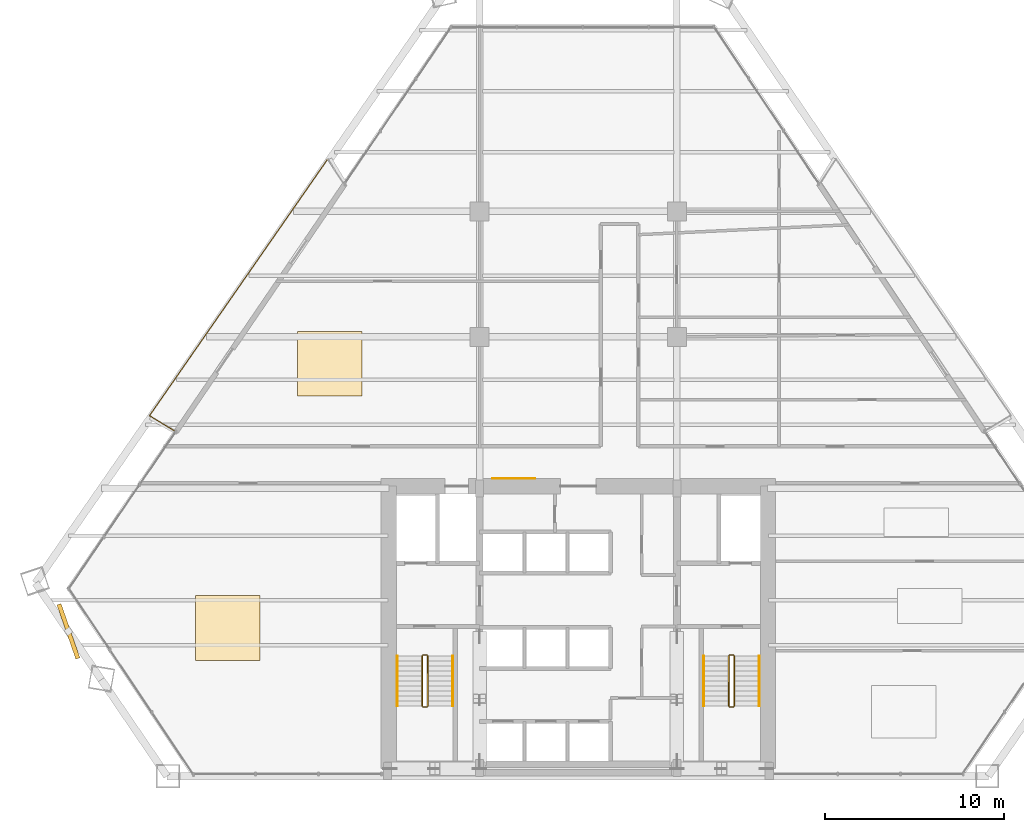
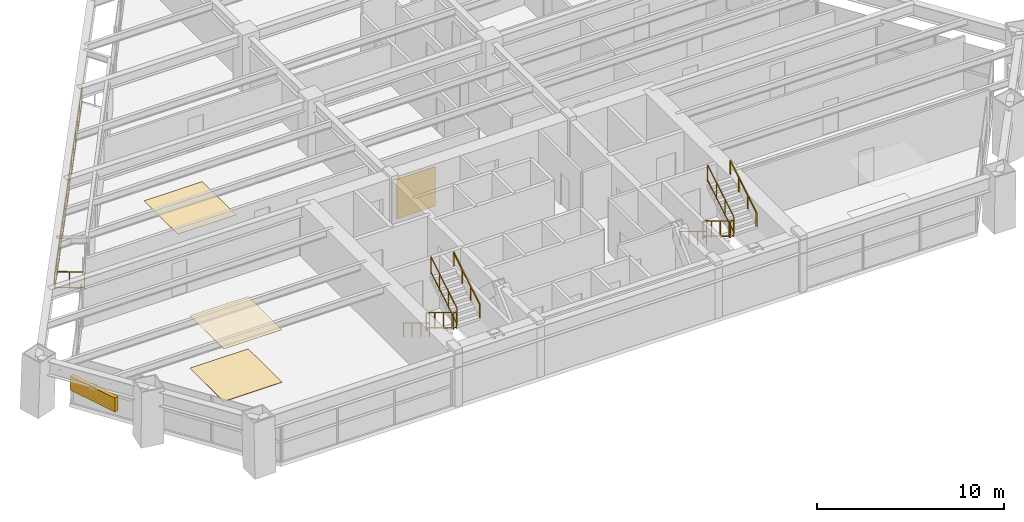
# One storey, part 13 of 14: 14 railings, 4 coverings, 1 shading device.
"""IFC4 building model written with IfcOpenShell, lengths in metres."""

import ifcopenshell
import ifcopenshell.guid

model = None  # the IFC model being written
_history = None  # IfcOwnerHistory: only IFC2X3 demands one
_inside = {}  # id of a spatial element -> (the spatial element, [elements in it])
_under = {}  # id of a project, library or spatial element -> (it, [spatial elements below it])
_declared = {}  # id of a project -> (the project, [libraries it declares])
_typed = {}  # id of a type object -> (the type object, [elements of that type])
_made_of = {}  # id of a material, layer set ... -> (it, [elements and type objects made of it])


def new_model(schema):
    """Start an empty IFC model of exactly this schema.

    Asked for "IFC4X3", IfcOpenShell would pick the latest addendum, in which some entities
    have other attributes; the version numbers below select the first issue.
    IFC2X3 requires an IfcOwnerHistory on every rooted entity: one is made here for all.
    """
    global model, _history
    if schema == "IFC4X3":
        model = ifcopenshell.file(schema_version=(4, 3, 0, 0))
    else:
        model = ifcopenshell.file(schema=schema)
    _inside.clear()
    _under.clear()
    _declared.clear()
    _typed.clear()
    _made_of.clear()
    _history = None
    if model.schema == "IFC2X3":
        org = make("IfcOrganization", Name="unknown")
        user = make(
            "IfcPersonAndOrganization",
            ThePerson=make("IfcPerson", FamilyName="unknown"),
            TheOrganization=org,
        )
        app = make(
            "IfcApplication",
            ApplicationDeveloper=org,
            Version="unknown",
            ApplicationFullName="unknown",
            ApplicationIdentifier="unknown",
        )
        _history = make(
            "IfcOwnerHistory",
            OwningUser=user,
            OwningApplication=app,
            ChangeAction="ADDED",
            CreationDate=0,
        )
    return model


def make(cls, **values):
    """One entity of the class cls with the attributes given. An attribute that is None is left unset."""
    return model.create_entity(
        cls, **{name: value for name, value in values.items() if value is not None}
    )


def rooted(cls, **values):
    """An entity with a GlobalId (a new one), such as an element, a storey or a relation."""
    return make(cls, GlobalId=ifcopenshell.guid.new(), OwnerHistory=_history, **values)


def si_unit(unit_type, name, prefix=None):
    """IfcSIUnit, for example si_unit("LENGTHUNIT", "METRE", prefix="MILLI")."""
    return make("IfcSIUnit", UnitType=unit_type, Prefix=prefix, Name=name)


def assignment(units):
    """IfcUnitAssignment: the units of a project."""
    return None if units is None else make("IfcUnitAssignment", Units=units)


def point(xyz):
    """IfcCartesianPoint."""
    return None if xyz is None else make("IfcCartesianPoint", Coordinates=xyz)


def direction(xyz):
    """IfcDirection."""
    return None if xyz is None else make("IfcDirection", DirectionRatios=xyz)


def frame(location, z_axis=None, x_axis=None):
    """IfcAxis2Placement3D, a coordinate frame: its origin and axes. An axis left out is left unset."""
    return make(
        "IfcAxis2Placement3D",
        Location=point(location),
        Axis=direction(z_axis),
        RefDirection=direction(x_axis),
    )


def frame_2d(location, x_axis=None):
    """IfcAxis2Placement2D, a coordinate frame in the plane: its origin and x axis."""
    return make(
        "IfcAxis2Placement2D", Location=point(location), RefDirection=direction(x_axis)
    )


def origin():
    """The frame at (0, 0, 0) with its axes left unset."""
    return frame((0.0, 0.0, 0.0))


def origin_2d():
    """The frame at (0, 0) in the plane with its x axis left unset."""
    return frame_2d((0.0, 0.0))


def place(relative_to, where):
    """IfcLocalPlacement: puts the frame where relative to a parent placement (None: the world)."""
    return make(
        "IfcLocalPlacement", PlacementRelTo=relative_to, RelativePlacement=where
    )


def context(
    kind, dimensions, precision=None, world=None, true_north=None, identifier=None
):
    """IfcGeometricRepresentationContext, for example the 3D "Model" context."""
    return make(
        "IfcGeometricRepresentationContext",
        ContextIdentifier=identifier,
        ContextType=kind,
        CoordinateSpaceDimension=dimensions,
        Precision=precision,
        WorldCoordinateSystem=world,
        TrueNorth=true_north,
    )


def subcontext(parent, identifier, kind, view, scale=None):
    """IfcGeometricRepresentationSubContext, for example "Body" below "Model"."""
    return make(
        "IfcGeometricRepresentationSubContext",
        ContextIdentifier=identifier,
        ContextType=kind,
        ParentContext=parent,
        TargetScale=scale,
        TargetView=view,
    )


def project(units=None, contexts=None):
    """IfcProject with its units and contexts."""
    return rooted(
        "IfcProject",
        Name="project",
        RepresentationContexts=contexts,
        UnitsInContext=assignment(units),
    )


def spatial(cls, under=None, at=None, **own):
    """A site, building, storey or space (cls), placed at a placement, below another one or the project."""
    s = rooted(cls, ObjectPlacement=at, **own)
    if under is not None:
        _under.setdefault(under.id(), (under, []))[1].append(s)
    return s


def profile(cls, at=None, kind="AREA", **sizes):
    """A parametric profile (cls). Its sizes go by their IFC names, for example OverallWidth=200.0."""
    return make(cls, ProfileType=kind, Position=at, **sizes)


def rectangle(**sizes):
    """IfcRectangleProfileDef."""
    return profile("IfcRectangleProfileDef", **sizes)


def extrude(swept, where, along, depth):
    """IfcExtrudedAreaSolid: the profile swept, set in the frame where, extruded along a direction by depth."""
    return make(
        "IfcExtrudedAreaSolid",
        SweptArea=swept,
        Position=where,
        ExtrudedDirection=direction(along),
        Depth=depth,
    )


def shape(context_of_items, identifier, shape_type, items):
    """IfcShapeRepresentation: the items that make up one representation, for example the "Body"."""
    return make(
        "IfcShapeRepresentation",
        ContextOfItems=context_of_items,
        RepresentationIdentifier=identifier,
        RepresentationType=shape_type,
        Items=items,
    )


def source(mapping_origin, context_of_items, identifier, shape_type, items):
    """IfcRepresentationMap: a shape defined once, which mapped items show again and again."""
    return make(
        "IfcRepresentationMap",
        MappingOrigin=mapping_origin,
        MappedRepresentation=shape(context_of_items, identifier, shape_type, items),
    )


def transform(
    local_origin,
    x_axis=None,
    y_axis=None,
    z_axis=None,
    scale=None,
    scale2=None,
    scale3=None,
    uniform=True,
):
    """IfcCartesianTransformationOperator3D, or its non-uniform kind. x_axis, y_axis, z_axis: its Axis1, 2, 3."""
    if uniform:
        return make(
            "IfcCartesianTransformationOperator3D",
            Axis1=direction(x_axis),
            Axis2=direction(y_axis),
            LocalOrigin=point(local_origin),
            Scale=scale,
            Axis3=direction(z_axis),
        )
    return make(
        "IfcCartesianTransformationOperator3DnonUniform",
        Axis1=direction(x_axis),
        Axis2=direction(y_axis),
        LocalOrigin=point(local_origin),
        Scale=scale,
        Axis3=direction(z_axis),
        Scale2=scale2,
        Scale3=scale3,
    )


def mapped(mapping_source, mapping_target):
    """IfcMappedItem: shows the shape of a source again, moved by a transform."""
    return make(
        "IfcMappedItem", MappingSource=mapping_source, MappingTarget=mapping_target
    )


def material(Name=None, Category=None):
    """IfcMaterial."""
    return make("IfcMaterial", Name=Name, Category=Category)


def layer(
    of_material, thickness, ventilated=None, Name=None, Category=None, Priority=None
):
    """IfcMaterialLayer: one layer of a wall or slab, of a material (None: an air gap)."""
    return make(
        "IfcMaterialLayer",
        Material=of_material,
        LayerThickness=thickness,
        IsVentilated=ventilated,
        Name=Name,
        Category=Category,
        Priority=Priority,
    )


def layer_set(layers, Name=None):
    """IfcMaterialLayerSet."""
    return make("IfcMaterialLayerSet", MaterialLayers=layers, LayerSetName=Name)


def made_of(thing, what):
    """Note that an element or type object is made of a material, layer set ...; save() writes the relation."""
    if what is not None:
        _made_of.setdefault(what.id(), (what, []))[1].append(thing)
    return thing


def type_object(cls, material=None, **own):
    """A type object (cls), such as IfcWallType, which elements share."""
    return made_of(rooted(cls, **own), material)


def type_shapes(of_type, sources):
    """Give a type object the sources (RepresentationMaps) that its elements show as mapped items."""
    of_type.RepresentationMaps = sources


def element(
    cls,
    number,
    at=None,
    inside=None,
    cuts=None,
    type_object=None,
    material=None,
    context=None,
    identifier="Body",
    shape_type=None,
    held_by="IfcProductDefinitionShape",
    body=None,
    shapes=None,
    **own,
):
    """One element of the class cls, such as IfcWall. Its Tag is "e" and its number.

    at: its placement. inside: the storey or other place that contains it. cuts: it is an
    opening in that element (IfcRelVoidsElement). A single representation is given by context,
    identifier, shape_type and body (its items); several are given by shapes. held_by: the class
    of the entity that holds the representations. save() writes the other relations.
    """
    e = rooted(cls, Tag="e%d" % number, ObjectPlacement=at, **own)
    if body is not None:
        shapes = [shape(context, identifier, shape_type, body)]
    if shapes is not None:
        e.Representation = make(held_by, Representations=shapes)
    if inside is not None:
        _inside.setdefault(inside.id(), (inside, []))[1].append(e)
    if cuts is not None:
        rooted(
            "IfcRelVoidsElement", RelatingBuildingElement=cuts, RelatedOpeningElement=e
        )
    if type_object is not None:
        _typed.setdefault(type_object.id(), (type_object, []))[1].append(e)
    return made_of(e, material)


def aggregate(whole, parts):
    """IfcRelAggregates: a whole, such as a stair, and the parts it consists of."""
    return rooted("IfcRelAggregates", RelatingObject=whole, RelatedObjects=parts)


def save(model, path):
    """Write the relations noted so far, then the file.

    IfcRelAggregates (storeys below a building ...), IfcRelContainedInSpatialStructure (elements
    in a storey), IfcRelDefinesByType, IfcRelAssociatesMaterial and IfcRelDeclares: one each for
    every whole, place, type object, material and project.
    """
    for whole, parts in _under.values():
        aggregate(whole, parts)
    for where, things in _inside.values():
        rooted(
            "IfcRelContainedInSpatialStructure",
            RelatedElements=things,
            RelatingStructure=where,
        )
    for kind, things in _typed.values():
        rooted("IfcRelDefinesByType", RelatedObjects=things, RelatingType=kind)
    for what, things in _made_of.values():
        rooted("IfcRelAssociatesMaterial", RelatedObjects=things, RelatingMaterial=what)
    for by, libraries in _declared.values():
        rooted("IfcRelDeclares", RelatingContext=by, RelatedDefinitions=libraries)
    model.write(path)


model = new_model("IFC4")

# Units and contexts
model_context = context("Model", 3, precision=1e-05, world=origin(), true_north=direction((0.0, 1.0)))
body_context = subcontext(model_context, "Body", "Model", "MODEL_VIEW")
ifc_project = project(units=[si_unit("LENGTHUNIT", "METRE"), si_unit("AREAUNIT", "SQUARE_METRE"), si_unit("VOLUMEUNIT", "CUBIC_METRE"), si_unit("PLANEANGLEUNIT", "RADIAN"), si_unit("MASSUNIT", "GRAM", prefix="KILO")], contexts=[model_context])

# Site, building, storey
site_placement = place(None, origin())
site = spatial("IfcSite", under=ifc_project, at=site_placement, CompositionType="ELEMENT")
building_placement = place(site_placement, origin())
building = spatial("IfcBuilding", under=site, at=building_placement, Name="Varnakhor Terracotta Tower", CompositionType="ELEMENT")
storey_placement = place(building_placement, frame((0.0, 0.0, 49.699951171875)))
storey = spatial("IfcBuildingStorey", under=building, at=storey_placement, Name="L11", CompositionType="ELEMENT", Elevation=49.699951171875)

# Railings
ifc_material_1 = material(Name="Stainless Steel & Laminated Glass Guardrail", Category="steel")
railing_type_1 = type_object("IfcRailingType", Name="RLG-LOGGIA-GUARD-1150", PredefinedType="GUARDRAIL", material=ifc_material_1)
railing_1_placement = place(storey_placement, frame((-22.550537109375, 19.275390625, 0.0)))
element("IfcRailing", 1, at=railing_1_placement, inside=storey, type_object=railing_type_1, Name="L11 W Loggia Glass Guard 1", PredefinedType="GUARDRAIL", context=body_context, shape_type="SweptSolid", body=[
    extrude(rectangle(XDim=0.048095703125, YDim=0.048095703125, at=origin_2d()), frame((0.0, 0.0, 1.1259765625), z_axis=(-0.853395472698, 0.521264009096, 0.0), x_axis=(-0.521264009096, -0.853395472698, 0.0)), (0.0, 0.0, 1.0), 1.593017578125),
    extrude(rectangle(XDim=0.048095703125, YDim=0.048095703125, at=origin_2d()), frame((0.0, 0.0, 0.10009765625), z_axis=(-0.853395472698, 0.521264009096, 0.0), x_axis=(-0.521264009096, -0.853395472698, 0.0)), (0.0, 0.0, 1.0), 1.593017578125),
    extrude(rectangle(XDim=0.0419921875, YDim=0.0419921875, at=origin_2d()), origin(), (0.0, 0.0, 1.0), 1.101806640625),
    extrude(rectangle(XDim=0.0419921875, YDim=0.0419921875, at=origin_2d()), frame((-0.6796875, 0.4150390625, 0.0)), (0.0, 0.0, 1.0), 1.101806640625),
    extrude(rectangle(XDim=0.0419921875, YDim=0.0419921875, at=origin_2d()), frame((-1.359375, 0.830322265625, 0.0)), (0.0, 0.0, 1.0), 1.101806640625),
])
railing_2_placement = place(storey_placement, frame((-23.909912109375, 20.105712890625, 0.0)))
element("IfcRailing", 2, at=railing_2_placement, inside=storey, type_object=railing_type_1, Name="L11 W Loggia Glass Guard 2", PredefinedType="GUARDRAIL", context=body_context, shape_type="SweptSolid", body=[
    extrude(rectangle(XDim=0.048095703125, YDim=0.048095703125, at=origin_2d()), frame((0.0, 0.0, 1.1259765625), z_axis=(0.570405535101, 0.821363211695, 0.0), x_axis=(-0.821363211695, 0.570405535101, 0.0)), (0.0, 0.0, 1.0), 17.406005859375),
    extrude(rectangle(XDim=0.048095703125, YDim=0.048095703125, at=origin_2d()), frame((0.0, 0.0, 0.10009765625), z_axis=(0.570405535101, 0.821363211695, 0.0), x_axis=(-0.821363211695, 0.570405535101, 0.0)), (0.0, 0.0, 1.0), 17.406005859375),
    extrude(rectangle(XDim=0.0419921875, YDim=0.0419921875, at=origin_2d()), origin(), (0.0, 0.0, 1.0), 1.101806640625),
    extrude(rectangle(XDim=0.0419921875, YDim=0.0419921875, at=origin_2d()), frame((0.763671875, 1.099853515625, 0.0)), (0.0, 0.0, 1.0), 1.101806640625),
    extrude(rectangle(XDim=0.0419921875, YDim=0.0419921875, at=origin_2d()), frame((1.52734375, 2.199462890625, 0.0)), (0.0, 0.0, 1.0), 1.101806640625),
    extrude(rectangle(XDim=0.0419921875, YDim=0.0419921875, at=origin_2d()), frame((2.291259765625, 3.29931640625, 0.0)), (0.0, 0.0, 1.0), 1.101806640625),
    extrude(rectangle(XDim=0.0419921875, YDim=0.0419921875, at=origin_2d()), frame((3.054931640625, 4.39892578125, 0.0)), (0.0, 0.0, 1.0), 1.101806640625),
    extrude(rectangle(XDim=0.0419921875, YDim=0.0419921875, at=origin_2d()), frame((3.818603515625, 5.498779296875, 0.0)), (0.0, 0.0, 1.0), 1.101806640625),
    extrude(rectangle(XDim=0.0419921875, YDim=0.0419921875, at=origin_2d()), frame((4.582275390625, 6.598388671875, 0.0)), (0.0, 0.0, 1.0), 1.101806640625),
    extrude(rectangle(XDim=0.0419921875, YDim=0.0419921875, at=origin_2d()), frame((5.34619140625, 7.6982421875, 0.0)), (0.0, 0.0, 1.0), 1.101806640625),
    extrude(rectangle(XDim=0.0419921875, YDim=0.0419921875, at=origin_2d()), frame((6.10986328125, 8.7978515625, 0.0)), (0.0, 0.0, 1.0), 1.101806640625),
    extrude(rectangle(XDim=0.0419921875, YDim=0.0419921875, at=origin_2d()), frame((6.87353515625, 9.897705078125, 0.0)), (0.0, 0.0, 1.0), 1.101806640625),
    extrude(rectangle(XDim=0.0419921875, YDim=0.0419921875, at=origin_2d()), frame((7.63720703125, 10.997314453125, 0.0)), (0.0, 0.0, 1.0), 1.101806640625),
    extrude(rectangle(XDim=0.0419921875, YDim=0.0419921875, at=origin_2d()), frame((8.401123046875, 12.09716796875, 0.0)), (0.0, 0.0, 1.0), 1.101806640625),
    extrude(rectangle(XDim=0.0419921875, YDim=0.0419921875, at=origin_2d()), frame((9.164794921875, 13.19677734375, 0.0)), (0.0, 0.0, 1.0), 1.101806640625),
    extrude(rectangle(XDim=0.0419921875, YDim=0.0419921875, at=origin_2d()), frame((9.928466796875, 14.296630859375, 0.0)), (0.0, 0.0, 1.0), 1.101806640625),
])
ifc_material_2 = material(Name="Painted Steel Stairwell Guardrail", Category="steel")
railing_type_2 = type_object("IfcRailingType", Name="RLG-STAIR-GUARD-1120", PredefinedType="GUARDRAIL", material=ifc_material_2)
railing_3_placement = place(storey_placement, frame((-8.699951171875, 6.7099609375, 0.168212890625)))
element("IfcRailing", 3, at=railing_3_placement, inside=storey, type_object=railing_type_2, Name="L11 ST-1 stair guard 1", PredefinedType="GUARDRAIL", context=body_context, shape_type="SweptSolid", body=[
    extrude(rectangle(XDim=0.048095703125, YDim=0.048095703125, at=origin_2d()), frame((0.0, 0.0, 1.09619140625), z_axis=(0.0, -0.857242210791, 0.514913383045), x_axis=(1.0, 0.0, 0.0)), (0.0, 0.0, 1.0), 3.266357421875),
    extrude(rectangle(XDim=0.048095703125, YDim=0.048095703125, at=origin_2d()), frame((0.0, 0.0, 0.10009765625), z_axis=(0.0, -0.857242210791, 0.514913383045), x_axis=(1.0, 0.0, 0.0)), (0.0, 0.0, 1.0), 3.266357421875),
    extrude(rectangle(XDim=0.0419921875, YDim=0.0419921875, at=origin_2d()), origin(), (0.0, 0.0, 1.0), 1.072021484375),
    extrude(rectangle(XDim=0.0419921875, YDim=0.0419921875, at=origin_2d()), frame((0.0, -0.933349609375, 0.560546875)), (0.0, 0.0, 1.0), 1.072021484375),
    extrude(rectangle(XDim=0.0419921875, YDim=0.0419921875, at=origin_2d()), frame((0.0, -1.86669921875, 1.121337890625)), (0.0, 0.0, 1.0), 1.072021484375),
    extrude(rectangle(XDim=0.0419921875, YDim=0.0419921875, at=origin_2d()), frame((0.0, -2.800048828125, 1.681884765625)), (0.0, 0.0, 1.0), 1.072021484375),
])
railing_4_placement = place(storey_placement, frame((-8.64990234375, 3.860107421875, 1.85009765625)))
element("IfcRailing", 4, at=railing_4_placement, inside=storey, type_object=railing_type_2, Name="L11 ST-1 stair guard 2", PredefinedType="GUARDRAIL", context=body_context, shape_type="SweptSolid", body=[
    extrude(rectangle(XDim=0.048095703125, YDim=0.048095703125, at=origin_2d()), frame((0.0, 0.0, 1.09619140625), z_axis=(1.0, 0.0, 0.0), x_axis=(0.0, 1.0, 0.0)), (0.0, 0.0, 1.0), 0.199951171875),
    extrude(rectangle(XDim=0.048095703125, YDim=0.048095703125, at=origin_2d()), frame((0.0, 0.0, 0.10009765625), z_axis=(1.0, 0.0, 0.0), x_axis=(0.0, 1.0, 0.0)), (0.0, 0.0, 1.0), 0.199951171875),
    extrude(rectangle(XDim=0.0419921875, YDim=0.0419921875, at=origin_2d()), origin(), (0.0, 0.0, 1.0), 1.072021484375),
    extrude(rectangle(XDim=0.0419921875, YDim=0.0419921875, at=origin_2d()), frame((0.199951171875, 0.0, 0.0)), (0.0, 0.0, 1.0), 1.072021484375),
])
railing_5_placement = place(storey_placement, frame((-8.39990234375, 3.909912109375, 2.018310546875)))
element("IfcRailing", 5, at=railing_5_placement, inside=storey, type_object=railing_type_2, Name="L11 ST-1 stair guard 3", PredefinedType="GUARDRAIL", context=body_context, shape_type="SweptSolid", body=[
    extrude(rectangle(XDim=0.048095703125, YDim=0.048095703125, at=origin_2d()), frame((0.0, 0.0, 1.09619140625), z_axis=(0.0, 0.857275202839, 0.514858452973), x_axis=(-1.0, 0.0, 0.0)), (0.0, 0.0, 1.0), 3.26611328125),
    extrude(rectangle(XDim=0.048095703125, YDim=0.048095703125, at=origin_2d()), frame((0.0, 0.0, 0.10009765625), z_axis=(0.0, 0.857275202839, 0.514858452973), x_axis=(-1.0, 0.0, 0.0)), (0.0, 0.0, 1.0), 3.26611328125),
    extrude(rectangle(XDim=0.0419921875, YDim=0.0419921875, at=origin_2d()), origin(), (0.0, 0.0, 1.0), 1.072021484375),
    extrude(rectangle(XDim=0.0419921875, YDim=0.0419921875, at=origin_2d()), frame((0.0, 0.933349609375, 0.560546875)), (0.0, 0.0, 1.0), 1.072021484375),
    extrude(rectangle(XDim=0.0419921875, YDim=0.0419921875, at=origin_2d()), frame((0.0, 1.86669921875, 1.12109375)), (0.0, 0.0, 1.0), 1.072021484375),
    extrude(rectangle(XDim=0.0419921875, YDim=0.0419921875, at=origin_2d()), frame((0.0, 2.800048828125, 1.681640625)), (0.0, 0.0, 1.0), 1.072021484375),
])
railing_6_placement = place(storey_placement, frame((-8.64990234375, 6.760009765625, 0.0)))
element("IfcRailing", 6, at=railing_6_placement, inside=storey, type_object=railing_type_2, Name="L11 ST-1 stair guard 4", PredefinedType="GUARDRAIL", context=body_context, shape_type="SweptSolid", body=[
    extrude(rectangle(XDim=0.048095703125, YDim=0.048095703125, at=origin_2d()), frame((0.0, 0.0, 1.09619140625), z_axis=(1.0, 0.0, 0.0), x_axis=(0.0, 1.0, 0.0)), (0.0, 0.0, 1.0), 0.199951171875),
    extrude(rectangle(XDim=0.048095703125, YDim=0.048095703125, at=origin_2d()), frame((0.0, 0.0, 0.10009765625), z_axis=(1.0, 0.0, 0.0), x_axis=(0.0, 1.0, 0.0)), (0.0, 0.0, 1.0), 0.199951171875),
    extrude(rectangle(XDim=0.0419921875, YDim=0.0419921875, at=origin_2d()), origin(), (0.0, 0.0, 1.0), 1.072021484375),
    extrude(rectangle(XDim=0.0419921875, YDim=0.0419921875, at=origin_2d()), frame((0.199951171875, 0.0, 0.0)), (0.0, 0.0, 1.0), 1.072021484375),
])
railing_7_placement = place(storey_placement, frame((8.39990234375, 6.7099609375, 0.168212890625)))
element("IfcRailing", 7, at=railing_7_placement, inside=storey, type_object=railing_type_2, Name="L11 ST-2 stair guard 1", PredefinedType="GUARDRAIL", context=body_context, shape_type="SweptSolid", body=[
    extrude(rectangle(XDim=0.048095703125, YDim=0.048095703125, at=origin_2d()), frame((0.0, 0.0, 1.09619140625), z_axis=(0.0, -0.857242210791, 0.514913383045), x_axis=(1.0, 0.0, 0.0)), (0.0, 0.0, 1.0), 3.266357421875),
    extrude(rectangle(XDim=0.048095703125, YDim=0.048095703125, at=origin_2d()), frame((0.0, 0.0, 0.10009765625), z_axis=(0.0, -0.857242210791, 0.514913383045), x_axis=(1.0, 0.0, 0.0)), (0.0, 0.0, 1.0), 3.266357421875),
    extrude(rectangle(XDim=0.0419921875, YDim=0.0419921875, at=origin_2d()), origin(), (0.0, 0.0, 1.0), 1.072021484375),
    extrude(rectangle(XDim=0.0419921875, YDim=0.0419921875, at=origin_2d()), frame((0.0, -0.933349609375, 0.560546875)), (0.0, 0.0, 1.0), 1.072021484375),
    extrude(rectangle(XDim=0.0419921875, YDim=0.0419921875, at=origin_2d()), frame((0.0, -1.86669921875, 1.121337890625)), (0.0, 0.0, 1.0), 1.072021484375),
    extrude(rectangle(XDim=0.0419921875, YDim=0.0419921875, at=origin_2d()), frame((0.0, -2.800048828125, 1.681884765625)), (0.0, 0.0, 1.0), 1.072021484375),
])
railing_8_placement = place(storey_placement, frame((8.449951171875, 3.860107421875, 1.85009765625)))
element("IfcRailing", 8, at=railing_8_placement, inside=storey, type_object=railing_type_2, Name="L11 ST-2 stair guard 2", PredefinedType="GUARDRAIL", context=body_context, shape_type="SweptSolid", body=[
    extrude(rectangle(XDim=0.048095703125, YDim=0.048095703125, at=origin_2d()), frame((0.0, 0.0, 1.09619140625), z_axis=(1.0, 0.0, 0.0), x_axis=(0.0, 1.0, 0.0)), (0.0, 0.0, 1.0), 0.199951171875),
    extrude(rectangle(XDim=0.048095703125, YDim=0.048095703125, at=origin_2d()), frame((0.0, 0.0, 0.10009765625), z_axis=(1.0, 0.0, 0.0), x_axis=(0.0, 1.0, 0.0)), (0.0, 0.0, 1.0), 0.199951171875),
    extrude(rectangle(XDim=0.0419921875, YDim=0.0419921875, at=origin_2d()), origin(), (0.0, 0.0, 1.0), 1.072021484375),
    extrude(rectangle(XDim=0.0419921875, YDim=0.0419921875, at=origin_2d()), frame((0.199951171875, 0.0, 0.0)), (0.0, 0.0, 1.0), 1.072021484375),
])
railing_9_placement = place(storey_placement, frame((8.699951171875, 3.909912109375, 2.018310546875)))
element("IfcRailing", 9, at=railing_9_placement, inside=storey, type_object=railing_type_2, Name="L11 ST-2 stair guard 3", PredefinedType="GUARDRAIL", context=body_context, shape_type="SweptSolid", body=[
    extrude(rectangle(XDim=0.048095703125, YDim=0.048095703125, at=origin_2d()), frame((0.0, 0.0, 1.09619140625), z_axis=(0.0, 0.857275202839, 0.514858452973), x_axis=(-1.0, 0.0, 0.0)), (0.0, 0.0, 1.0), 3.26611328125),
    extrude(rectangle(XDim=0.048095703125, YDim=0.048095703125, at=origin_2d()), frame((0.0, 0.0, 0.10009765625), z_axis=(0.0, 0.857275202839, 0.514858452973), x_axis=(-1.0, 0.0, 0.0)), (0.0, 0.0, 1.0), 3.26611328125),
    extrude(rectangle(XDim=0.0419921875, YDim=0.0419921875, at=origin_2d()), origin(), (0.0, 0.0, 1.0), 1.072021484375),
    extrude(rectangle(XDim=0.0419921875, YDim=0.0419921875, at=origin_2d()), frame((0.0, 0.933349609375, 0.560546875)), (0.0, 0.0, 1.0), 1.072021484375),
    extrude(rectangle(XDim=0.0419921875, YDim=0.0419921875, at=origin_2d()), frame((0.0, 1.86669921875, 1.12109375)), (0.0, 0.0, 1.0), 1.072021484375),
    extrude(rectangle(XDim=0.0419921875, YDim=0.0419921875, at=origin_2d()), frame((0.0, 2.800048828125, 1.681640625)), (0.0, 0.0, 1.0), 1.072021484375),
])
railing_10_placement = place(storey_placement, frame((8.449951171875, 6.760009765625, 0.0)))
element("IfcRailing", 10, at=railing_10_placement, inside=storey, type_object=railing_type_2, Name="L11 ST-2 stair guard 4", PredefinedType="GUARDRAIL", context=body_context, shape_type="SweptSolid", body=[
    extrude(rectangle(XDim=0.048095703125, YDim=0.048095703125, at=origin_2d()), frame((0.0, 0.0, 1.09619140625), z_axis=(1.0, 0.0, 0.0), x_axis=(0.0, 1.0, 0.0)), (0.0, 0.0, 1.0), 0.199951171875),
    extrude(rectangle(XDim=0.048095703125, YDim=0.048095703125, at=origin_2d()), frame((0.0, 0.0, 0.10009765625), z_axis=(1.0, 0.0, 0.0), x_axis=(0.0, 1.0, 0.0)), (0.0, 0.0, 1.0), 0.199951171875),
    extrude(rectangle(XDim=0.0419921875, YDim=0.0419921875, at=origin_2d()), origin(), (0.0, 0.0, 1.0), 1.072021484375),
    extrude(rectangle(XDim=0.0419921875, YDim=0.0419921875, at=origin_2d()), frame((0.199951171875, 0.0, 0.0)), (0.0, 0.0, 1.0), 1.072021484375),
])
ifc_material_3 = material(Name="Brushed Stainless Steel Handrail", Category="steel")
railing_type_3 = type_object("IfcRailingType", Name="RLG-STAIR-HANDRAIL-920", PredefinedType="HANDRAIL", material=ifc_material_3)
railing_11_placement = place(storey_placement, frame((-10.10009765625, 6.7099609375, 0.168212890625)))
element("IfcRailing", 11, at=railing_11_placement, inside=storey, type_object=railing_type_3, Name="L11 ST-1 stair handrail 1", PredefinedType="HANDRAIL", context=body_context, shape_type="SweptSolid", body=[
    extrude(rectangle(XDim=0.048095703125, YDim=0.048095703125, at=origin_2d()), frame((0.0, 0.0, 0.89599609375), z_axis=(0.0, -0.857242210791, 0.514913383045), x_axis=(1.0, 0.0, 0.0)), (0.0, 0.0, 1.0), 3.266357421875),
    extrude(rectangle(XDim=0.0419921875, YDim=0.0419921875, at=origin_2d()), origin(), (0.0, 0.0, 1.0), 0.871826171875),
    extrude(rectangle(XDim=0.0419921875, YDim=0.0419921875, at=origin_2d()), frame((0.0, -0.933349609375, 0.560546875)), (0.0, 0.0, 1.0), 0.871826171875),
    extrude(rectangle(XDim=0.0419921875, YDim=0.0419921875, at=origin_2d()), frame((0.0, -1.86669921875, 1.121337890625)), (0.0, 0.0, 1.0), 0.871826171875),
    extrude(rectangle(XDim=0.0419921875, YDim=0.0419921875, at=origin_2d()), frame((0.0, -2.800048828125, 1.681884765625)), (0.0, 0.0, 1.0), 0.871826171875),
])
railing_12_placement = place(storey_placement, frame((-7.0, 3.909912109375, 2.018310546875)))
element("IfcRailing", 12, at=railing_12_placement, inside=storey, type_object=railing_type_3, Name="L11 ST-1 stair handrail 2", PredefinedType="HANDRAIL", context=body_context, shape_type="SweptSolid", body=[
    extrude(rectangle(XDim=0.048095703125, YDim=0.048095703125, at=origin_2d()), frame((0.0, 0.0, 0.89599609375), z_axis=(0.0, 0.857275202839, 0.514858452973), x_axis=(-1.0, 0.0, 0.0)), (0.0, 0.0, 1.0), 3.26611328125),
    extrude(rectangle(XDim=0.0419921875, YDim=0.0419921875, at=origin_2d()), origin(), (0.0, 0.0, 1.0), 0.871826171875),
    extrude(rectangle(XDim=0.0419921875, YDim=0.0419921875, at=origin_2d()), frame((0.0, 0.933349609375, 0.560546875)), (0.0, 0.0, 1.0), 0.871826171875),
    extrude(rectangle(XDim=0.0419921875, YDim=0.0419921875, at=origin_2d()), frame((0.0, 1.86669921875, 1.12109375)), (0.0, 0.0, 1.0), 0.871826171875),
    extrude(rectangle(XDim=0.0419921875, YDim=0.0419921875, at=origin_2d()), frame((0.0, 2.800048828125, 1.681640625)), (0.0, 0.0, 1.0), 0.871826171875),
])
railing_13_placement = place(storey_placement, frame((7.0, 6.7099609375, 0.168212890625)))
element("IfcRailing", 13, at=railing_13_placement, inside=storey, type_object=railing_type_3, Name="L11 ST-2 stair handrail 1", PredefinedType="HANDRAIL", context=body_context, shape_type="SweptSolid", body=[
    extrude(rectangle(XDim=0.048095703125, YDim=0.048095703125, at=origin_2d()), frame((0.0, 0.0, 0.89599609375), z_axis=(0.0, -0.857242210791, 0.514913383045), x_axis=(1.0, 0.0, 0.0)), (0.0, 0.0, 1.0), 3.266357421875),
    extrude(rectangle(XDim=0.0419921875, YDim=0.0419921875, at=origin_2d()), origin(), (0.0, 0.0, 1.0), 0.871826171875),
    extrude(rectangle(XDim=0.0419921875, YDim=0.0419921875, at=origin_2d()), frame((0.0, -0.933349609375, 0.560546875)), (0.0, 0.0, 1.0), 0.871826171875),
    extrude(rectangle(XDim=0.0419921875, YDim=0.0419921875, at=origin_2d()), frame((0.0, -1.86669921875, 1.121337890625)), (0.0, 0.0, 1.0), 0.871826171875),
    extrude(rectangle(XDim=0.0419921875, YDim=0.0419921875, at=origin_2d()), frame((0.0, -2.800048828125, 1.681884765625)), (0.0, 0.0, 1.0), 0.871826171875),
])
railing_14_placement = place(storey_placement, frame((10.10009765625, 3.909912109375, 2.018310546875)))
element("IfcRailing", 14, at=railing_14_placement, inside=storey, type_object=railing_type_3, Name="L11 ST-2 stair handrail 2", PredefinedType="HANDRAIL", context=body_context, shape_type="SweptSolid", body=[
    extrude(rectangle(XDim=0.048095703125, YDim=0.048095703125, at=origin_2d()), frame((0.0, 0.0, 0.89599609375), z_axis=(0.0, 0.857275202839, 0.514858452973), x_axis=(-1.0, 0.0, 0.0)), (0.0, 0.0, 1.0), 3.26611328125),
    extrude(rectangle(XDim=0.0419921875, YDim=0.0419921875, at=origin_2d()), origin(), (0.0, 0.0, 1.0), 0.871826171875),
    extrude(rectangle(XDim=0.0419921875, YDim=0.0419921875, at=origin_2d()), frame((0.0, 0.933349609375, 0.560546875)), (0.0, 0.0, 1.0), 0.871826171875),
    extrude(rectangle(XDim=0.0419921875, YDim=0.0419921875, at=origin_2d()), frame((0.0, 1.86669921875, 1.12109375)), (0.0, 0.0, 1.0), 0.871826171875),
    extrude(rectangle(XDim=0.0419921875, YDim=0.0419921875, at=origin_2d()), frame((0.0, 2.800048828125, 1.681640625)), (0.0, 0.0, 1.0), 0.871826171875),
])

# Shading device
ifc_material_4 = material(Name="Extruded Architectural Terracotta Screen", Category="masonry")
shading_device_type = type_object("IfcShadingDeviceType", Name="TERRACOTTA SOLAR SCREEN W", PredefinedType="USERDEFINED", material=ifc_material_4)
shared_shape_1 = source(origin(), body_context, "Body", "SweptSolid", [
    extrude(rectangle(XDim=3.199951171875, YDim=0.239990234375, at=origin_2d()), origin(), (0.0, 0.0, 1.0), 0.919921875),
])
type_shapes(shading_device_type, [shared_shape_1])
shading_device_placement = place(storey_placement, frame((-28.4326171875, 8.0771484375, 1.6181640625), z_axis=(0.0, 0.0, 1.0), x_axis=(0.329723599986, -0.944077511443, 0.0)))
element("IfcShadingDevice", 15, at=shading_device_placement, inside=storey, type_object=shading_device_type, Name="L11 W Terracotta Solar Screen", ObjectType="SCREEN", PredefinedType="USERDEFINED", context=body_context, shape_type="MappedRepresentation", body=[
    mapped(shared_shape_1, transform((0.0, 0.0, 0.0), scale=1.0)),
])

# Coverings
ifc_material_5 = material(Name="Extruded Architectural Terracotta Cladding", Category="masonry")
ifc_layer_1 = layer(ifc_material_5, 0.044921875, Name="Extruded Architectural Terracotta Cladding")
ifc_layer_set_1 = layer_set([ifc_layer_1], Name="Extruded Architectural Terracotta Cladding")
covering_type_1 = type_object("IfcCoveringType", Name="COV-CLAD-TERRACOTTA", PredefinedType="CLADDING", material=ifc_layer_set_1)
shared_shape_2 = source(origin(), body_context, "Body", "SweptSolid", [
    extrude(rectangle(XDim=2.39990234375, YDim=0.030029296875, at=origin_2d()), origin(), (0.0, 0.0, 1.0), 2.60009765625),
])
type_shapes(covering_type_1, [shared_shape_2])
covering_1_placement = place(storey_placement, frame((-3.60009765625, 16.612060546875, 0.0), z_axis=(0.0, 0.0, 1.0), x_axis=(1.0, 0.0, 0.0)))
element("IfcCovering", 16, at=covering_1_placement, inside=storey, type_object=covering_type_1, Name="L11 Core Lobby Limestone Cladding", PredefinedType="CLADDING", context=body_context, shape_type="MappedRepresentation", body=[
    mapped(shared_shape_2, transform((0.0, 0.0, 0.0), scale=1.0)),
])
ifc_material_6 = material(Name="Honed Riyadh Limestone Flooring", Category="masonry")
ifc_layer_2 = layer(ifc_material_6, 0.030029296875, Name="Honed Riyadh Limestone Flooring")
ifc_layer_set_2 = layer_set([ifc_layer_2], Name="Honed Riyadh Limestone Flooring")
covering_type_2 = type_object("IfcCoveringType", Name="COV-FLOOR-LIMESTONE", PredefinedType="FLOORING", material=ifc_layer_set_2)
shared_shape_3 = source(origin(), body_context, "Body", "SweptSolid", [
    extrude(rectangle(XDim=3.60009765625, YDim=3.60009765625, at=origin_2d()), origin(), (0.0, 0.0, 1.0), 0.02001953125),
])
for number, where, z_axis, x_axis, name in (
    (17, (-19.547119140625, 8.26611328125, 0.0), (0.0, 0.0, 1.0), (1.0, 0.0, 0.0), "L11 Honed Stone Flooring 2"),
    (18, (-13.868896484375, 23.010986328125, 0.0), (0.0, 0.0, 1.0), (1.0, 0.0, 0.0), "L11 Honed Stone Flooring 5"),
):
    element("IfcCovering", number, at=place(storey_placement, frame(where, z_axis=z_axis, x_axis=x_axis)), inside=storey, type_object=covering_type_2, Name=name, PredefinedType="FLOORING", context=body_context, shape_type="MappedRepresentation", body=[
        mapped(shared_shape_3, transform((0.0, 0.0, 0.0), scale=1.0)),
    ])
ifc_material_7 = material(Name="Perforated Acoustic Mineral-Fibre Ceiling", Category="gypsum")
ifc_layer_3 = layer(ifc_material_7, 0.02490234375, Name="Perforated Acoustic Mineral-Fibre Ceiling")
ifc_layer_set_3 = layer_set([ifc_layer_3], Name="Perforated Acoustic Mineral-Fibre Ceiling")
covering_type_3 = type_object("IfcCoveringType", Name="COV-CEILING-ACOUSTIC", PredefinedType="CEILING", material=ifc_layer_set_3)
shared_shape_4 = source(origin(), body_context, "Body", "SweptSolid", [
    extrude(rectangle(XDim=3.60009765625, YDim=3.60009765625, at=origin_2d()), origin(), (0.0, 0.0, 1.0), 0.02392578125),
])
covering_2_placement = place(storey_placement, frame((-19.547119140625, 8.26611328125, 3.426025390625), z_axis=(0.0, 0.0, 1.0), x_axis=(1.0, 0.0, 0.0)))
element("IfcCovering", 19, at=covering_2_placement, inside=storey, type_object=covering_type_3, Name="L11 Acoustic Ceiling Panel 2", PredefinedType="CEILING", context=body_context, shape_type="MappedRepresentation", body=[
    mapped(shared_shape_4, transform((0.0, 0.0, 0.0), scale=1.0)),
])

save(model, "model.ifc")
